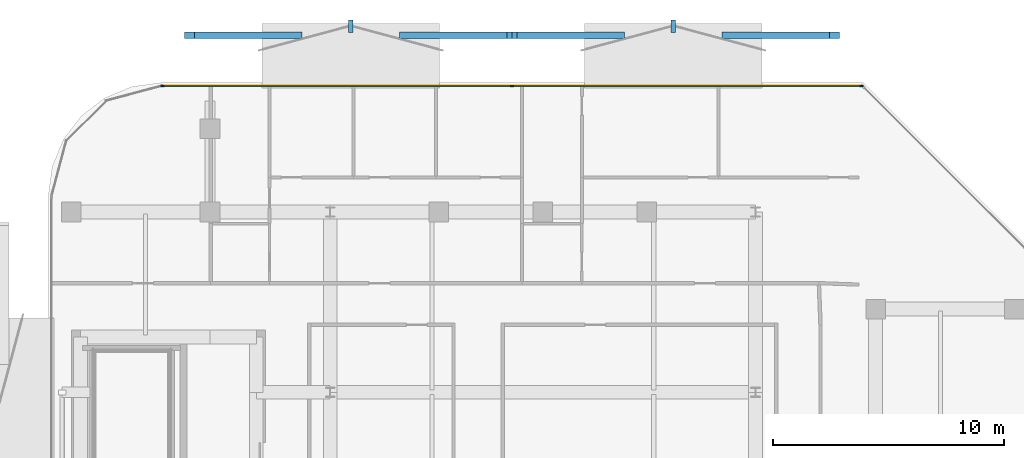
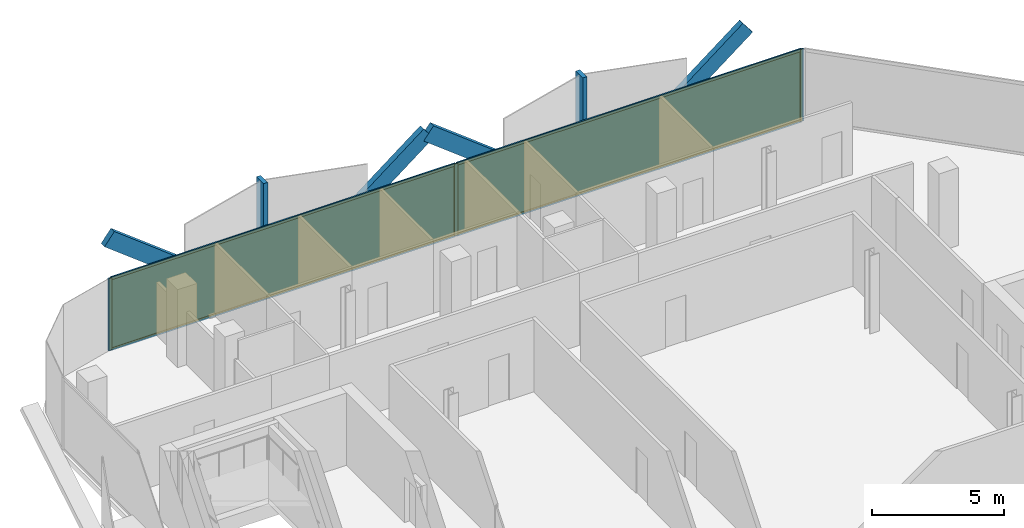
# One storey, part 11 of 15: 13 members, 2 plates, 1 curtain wall.
"""IFC4 building model written with IfcOpenShell, lengths in metres."""

from ifc_helpers import new_model, si_unit, direction, frame, frame_2d, origin, origin_2d, place, context, subcontext, project, spatial, rectangle, extrude, material, layer, layer_set, material_profile, profile_set, type_object, element, aggregate, save


model = new_model("IFC4")

# Units and contexts
model_context = context("Model", 3, precision=1e-05, world=origin(), true_north=direction((0.0, 1.0)))
body_context = subcontext(model_context, "Body", "Model", "MODEL_VIEW")
ifc_project = project(units=[si_unit("LENGTHUNIT", "METRE"), si_unit("AREAUNIT", "SQUARE_METRE"), si_unit("VOLUMEUNIT", "CUBIC_METRE"), si_unit("PLANEANGLEUNIT", "RADIAN"), si_unit("MASSUNIT", "GRAM", prefix="KILO")], contexts=[model_context])

# Member
ifc_material_1 = material(Name="Anodised Bronze Aluminium 6063-T6", Category="aluminium")
ifc_material_profile_1 = material_profile(ifc_material_1, rectangle(XDim=0.260009765625, YDim=0.699951171875, at=origin_2d()))
ifc_profile_set_1 = profile_set([ifc_material_profile_1], Name="Anodised Bronze Aluminium 6063-T6")
member_type_1 = type_object("IfcMemberType", Name="Bronze Diamond Solar-Screen Lattice Rib BDL-700", PredefinedType="MULLION", material=ifc_profile_set_1)
site_placement = place(None, origin())
building_placement = place(site_placement, origin())
storey_placement = place(building_placement, frame((0.0, 0.0, 262.0)))
member_1_placement = place(storey_placement, frame((-5.986572265625, 26.25, -0.1298828125), z_axis=(0.790869504737, 0.0, 0.611984825366), x_axis=(0.0, 1.0, 0.0)))
member_1 = element("IfcMember", 1, at=member_1_placement, type_object=member_type_1, Name="L62 Bronze Diamond Solar Screen Lattice Rib 429A", PredefinedType="MULLION", context=body_context, shape_type="SweptSolid", body=[
    extrude(rectangle(XDim=0.260009765625, YDim=0.699951171875, at=origin_2d()), origin(), (0.0, 0.0, 1.0), 5.88232421875),
])

member_2_placement = place(storey_placement, frame((-10.638671875, 26.25, -0.1298828125), z_axis=(-0.790869504737, 0.0, 0.611984825366), x_axis=(0.0, -1.0, 0.0)))
member_2 = element("IfcMember", 2, at=member_2_placement, type_object=member_type_1, Name="L62 Bronze Diamond Solar Screen Lattice Rib 429B", PredefinedType="MULLION", context=body_context, shape_type="SweptSolid", body=[
    extrude(rectangle(XDim=0.260009765625, YDim=0.699951171875, at=origin_2d()), origin(), (0.0, 0.0, 1.0), 5.88232421875),
])

member_3_placement = place(storey_placement, frame((7.969970703125, 26.25, -0.1298828125), z_axis=(0.790869504737, 0.0, 0.611984825366), x_axis=(0.0, 1.0, 0.0)))
member_3 = element("IfcMember", 3, at=member_3_placement, type_object=member_type_1, Name="L62 Bronze Diamond Solar Screen Lattice Rib 430A", PredefinedType="MULLION", context=body_context, shape_type="SweptSolid", body=[
    extrude(rectangle(XDim=0.260009765625, YDim=0.699951171875, at=origin_2d()), origin(), (0.0, 0.0, 1.0), 5.88232421875),
])

member_4_placement = place(storey_placement, frame((3.317626953125, 26.25, -0.1298828125), z_axis=(-0.790869504737, 0.0, 0.611984825366), x_axis=(0.0, -1.0, 0.0)))
member_4 = element("IfcMember", 4, at=member_4_placement, type_object=member_type_1, Name="L62 Bronze Diamond Solar Screen Lattice Rib 430B", PredefinedType="MULLION", context=body_context, shape_type="SweptSolid", body=[
    extrude(rectangle(XDim=0.260009765625, YDim=0.699951171875, at=origin_2d()), origin(), (0.0, 0.0, 1.0), 5.88232421875),
])

ifc_material_2 = material(Name="Anodised Bronze Aluminium 6063-T6", Category="aluminium")
ifc_material_profile_2 = material_profile(ifc_material_2, rectangle(XDim=0.179931640625, YDim=0.5400390625, at=origin_2d()))
ifc_profile_set_2 = profile_set([ifc_material_profile_2], Name="Anodised Bronze Aluminium 6063-T6")
member_type_2 = type_object("IfcMemberType", Name="Bronze Solar-Screen Vertical Fold Fin BSF-540", PredefinedType="MULLION", material=ifc_profile_set_2)
member_5_placement = place(storey_placement, frame((-8.3125, 26.639892578125, -0.1298828125), z_axis=(0.0, 0.0, 1.0), x_axis=(1.0, 0.0, 0.0)))
member_5 = element("IfcMember", 5, at=member_5_placement, type_object=member_type_2, Name="L62 Bronze Solar Screen Vertical Fin 429", PredefinedType="MULLION", context=body_context, shape_type="SweptSolid", body=[
    extrude(rectangle(XDim=0.179931640625, YDim=0.5400390625, at=origin_2d()), origin(), (0.0, 0.0, 1.0), 3.599853515625),
])

member_6_placement = place(storey_placement, frame((5.643798828125, 26.639892578125, -0.1298828125), z_axis=(0.0, 0.0, 1.0), x_axis=(1.0, 0.0, 0.0)))
member_6 = element("IfcMember", 6, at=member_6_placement, type_object=member_type_2, Name="L62 Bronze Solar Screen Vertical Fin 430", PredefinedType="MULLION", context=body_context, shape_type="SweptSolid", body=[
    extrude(rectangle(XDim=0.179931640625, YDim=0.5400390625, at=origin_2d()), origin(), (0.0, 0.0, 1.0), 3.599853515625),
])

ifc_material_3 = material(Name="Anodised Bronze Aluminium 6063-T6", Category="aluminium")
ifc_material_profile_3 = material_profile(ifc_material_3, rectangle(XDim=0.06005859375, YDim=0.159912109375, at=origin_2d()))
ifc_profile_set_3 = profile_set([ifc_material_profile_3], Name="Anodised Bronze Aluminium 6063-T6")
member_type_3 = type_object("IfcMemberType", Name="CW-Z4 Mullion 60x160", PredefinedType="MULLION", material=ifc_profile_set_3)
member_7_placement = place(storey_placement, frame((-16.460693359375, 24.06005859375, 0.0), z_axis=(0.0, 0.0, 1.0), x_axis=(0.0, 1.0, 0.0)))
member_7 = element("IfcMember", 7, at=member_7_placement, type_object=member_type_3, Name="CW-Z4 mullion 1", PredefinedType="MULLION", context=body_context, shape_type="SweptSolid", body=[
    extrude(rectangle(XDim=0.06005859375, YDim=0.159912109375, at=origin_2d()), origin(), (0.0, 0.0, 1.0), 3.340087890625),
])

member_8_placement = place(storey_placement, frame((-1.33447265625, 24.06005859375, 0.0), z_axis=(0.0, 0.0, 1.0), x_axis=(0.0, 1.0, 0.0)))
member_8 = element("IfcMember", 8, at=member_8_placement, type_object=member_type_3, Name="CW-Z4 mullion 2", PredefinedType="MULLION", context=body_context, shape_type="SweptSolid", body=[
    extrude(rectangle(XDim=0.06005859375, YDim=0.159912109375, at=origin_2d()), origin(), (0.0, 0.0, 1.0), 3.340087890625),
])

member_9_placement = place(storey_placement, frame((13.7919921875, 24.06005859375, 0.0), z_axis=(0.0, 0.0, 1.0), x_axis=(0.0, 1.0, 0.0)))
member_9 = element("IfcMember", 9, at=member_9_placement, type_object=member_type_3, Name="CW-Z4 mullion 3", PredefinedType="MULLION", context=body_context, shape_type="SweptSolid", body=[
    extrude(rectangle(XDim=0.06005859375, YDim=0.159912109375, at=origin_2d()), origin(), (0.0, 0.0, 1.0), 3.340087890625),
])

ifc_material_4 = material(Name="Anodised Bronze Aluminium 6063-T6", Category="aluminium")
ifc_material_profile_4 = material_profile(ifc_material_4, rectangle(XDim=0.06005859375, YDim=0.125, at=origin_2d()))
ifc_profile_set_4 = profile_set([ifc_material_profile_4], Name="Anodised Bronze Aluminium 6063-T6")
member_type_4 = type_object("IfcMemberType", Name="CW-Z4 Transom 60x125", PredefinedType="USERDEFINED", material=ifc_profile_set_4)
member_10_placement = place(storey_placement, frame((-16.430908203125, 24.06005859375, 0.030029296875), z_axis=(1.0, 0.0, 0.0), x_axis=(0.0, 1.0, 0.0)))
member_10 = element("IfcMember", 10, at=member_10_placement, type_object=member_type_4, Name="CW-Z4 transom 1.1", ObjectType="TRANSOM", PredefinedType="USERDEFINED", context=body_context, shape_type="SweptSolid", body=[
    extrude(rectangle(XDim=0.06005859375, YDim=0.125, at=origin_2d()), origin(), (0.0, 0.0, 1.0), 15.06640625),
])

member_11_placement = place(storey_placement, frame((-16.430908203125, 24.06005859375, 3.31005859375), z_axis=(1.0, 0.0, 0.0), x_axis=(0.0, 1.0, 0.0)))
member_11 = element("IfcMember", 11, at=member_11_placement, type_object=member_type_4, Name="CW-Z4 transom 1.2", ObjectType="TRANSOM", PredefinedType="USERDEFINED", context=body_context, shape_type="SweptSolid", body=[
    extrude(rectangle(XDim=0.06005859375, YDim=0.125, at=origin_2d()), origin(), (0.0, 0.0, 1.0), 15.06640625),
])

member_12_placement = place(storey_placement, frame((-1.304443359375, 24.06005859375, 0.030029296875), z_axis=(1.0, 0.0, 0.0), x_axis=(0.0, 1.0, 0.0)))
member_12 = element("IfcMember", 12, at=member_12_placement, type_object=member_type_4, Name="CW-Z4 transom 2.1", ObjectType="TRANSOM", PredefinedType="USERDEFINED", context=body_context, shape_type="SweptSolid", body=[
    extrude(rectangle(XDim=0.06005859375, YDim=0.125, at=origin_2d()), origin(), (0.0, 0.0, 1.0), 15.06640625),
])

member_13_placement = place(storey_placement, frame((-1.304443359375, 24.06005859375, 3.31005859375), z_axis=(1.0, 0.0, 0.0), x_axis=(0.0, 1.0, 0.0)))
member_13 = element("IfcMember", 13, at=member_13_placement, type_object=member_type_4, Name="CW-Z4 transom 2.2", ObjectType="TRANSOM", PredefinedType="USERDEFINED", context=body_context, shape_type="SweptSolid", body=[
    extrude(rectangle(XDim=0.06005859375, YDim=0.125, at=origin_2d()), origin(), (0.0, 0.0, 1.0), 15.06640625),
])

# Plate
ifc_material_5 = material(Name="Low-E Solar Control Laminated Glass", Category="glass")
ifc_layer_1 = layer(ifc_material_5, 0.030029296875, Name="Low-E Solar Control Laminated Glass")
ifc_layer_set_1 = layer_set([ifc_layer_1], Name="Low-E Solar Control Laminated Glass")
plate_type = type_object("IfcPlateType", Name="CW-Z4 Low-E Double Glazed Panel 30mm", PredefinedType="CURTAIN_PANEL", material=ifc_layer_set_1)
plate_1_placement = place(storey_placement, frame((-8.897705078125, 24.06005859375, 0.06005859375), z_axis=(0.0, 0.0, 1.0), x_axis=(1.0, 0.0, 0.0)))
plate_1 = element("IfcPlate", 14, at=plate_1_placement, type_object=plate_type, Name="CW-Z4 panel 1.1", PredefinedType="CURTAIN_PANEL", context=body_context, shape_type="SweptSolid", body=[
    extrude(rectangle(XDim=15.06640625, YDim=0.030029296875, at=origin_2d()), origin(), (0.0, 0.0, 1.0), 3.219970703125),
])

plate_2_placement = place(storey_placement, frame((6.228759765625, 24.06005859375, 0.06005859375), z_axis=(0.0, 0.0, 1.0), x_axis=(1.0, 0.0, 0.0)))
plate_2 = element("IfcPlate", 15, at=plate_2_placement, type_object=plate_type, Name="CW-Z4 panel 2.1", PredefinedType="CURTAIN_PANEL", context=body_context, shape_type="SweptSolid", body=[
    extrude(rectangle(XDim=15.06640625, YDim=0.030029296875, at=origin_2d()), origin(), (0.0, 0.0, 1.0), 3.219970703125),
])

# Site, building, storey
site = spatial("IfcSite", under=ifc_project, at=site_placement, CompositionType="ELEMENT")
building = spatial("IfcBuilding", under=site, at=building_placement, Name="Khairoan Windgate Tower", CompositionType="ELEMENT")
storey = spatial("IfcBuildingStorey", under=building, at=storey_placement, Name="L62", CompositionType="ELEMENT", Elevation=262.0)

# Curtain wall
ifc_material_6 = material(Name="Anodised Bronze Aluminium 6063-T6", Category="aluminium")
ifc_layer_2 = layer(ifc_material_6, 0.159912109375, Name="Anodised Bronze Aluminium 6063-T6")
ifc_layer_set_2 = layer_set([ifc_layer_2], Name="Anodised Bronze Aluminium 6063-T6")
curtain_wall_type = type_object("IfcCurtainWallType", Name="Sky Residence Unitised Curtain Wall CW-Z4", PredefinedType="NOTDEFINED", material=ifc_layer_set_2)
curtain_wall_placement = place(storey_placement, frame((-16.49072265625, 24.06005859375, 0.0), z_axis=(0.0, 0.0, 1.0), x_axis=(1.0, 0.0, 0.0)))
curtain_wall = element("IfcCurtainWall", 16, at=curtain_wall_placement, inside=storey, type_object=curtain_wall_type, Name="L62 Unitised Curtain Wall 9", PredefinedType="NOTDEFINED", context=body_context, shape_type="SweptSolid", body=[
    extrude(rectangle(XDim=30.312744140625, YDim=0.010009765625, at=frame_2d((15.15625, 0.0))), origin(), (0.0, 0.0, 1.0), 3.340087890625),
])

aggregate(curtain_wall, [member_7, member_8, member_9, member_10, member_11, plate_1, member_12, member_13, plate_2, member_1, member_2, member_5, member_3, member_4, member_6])

save(model, "model.ifc")
